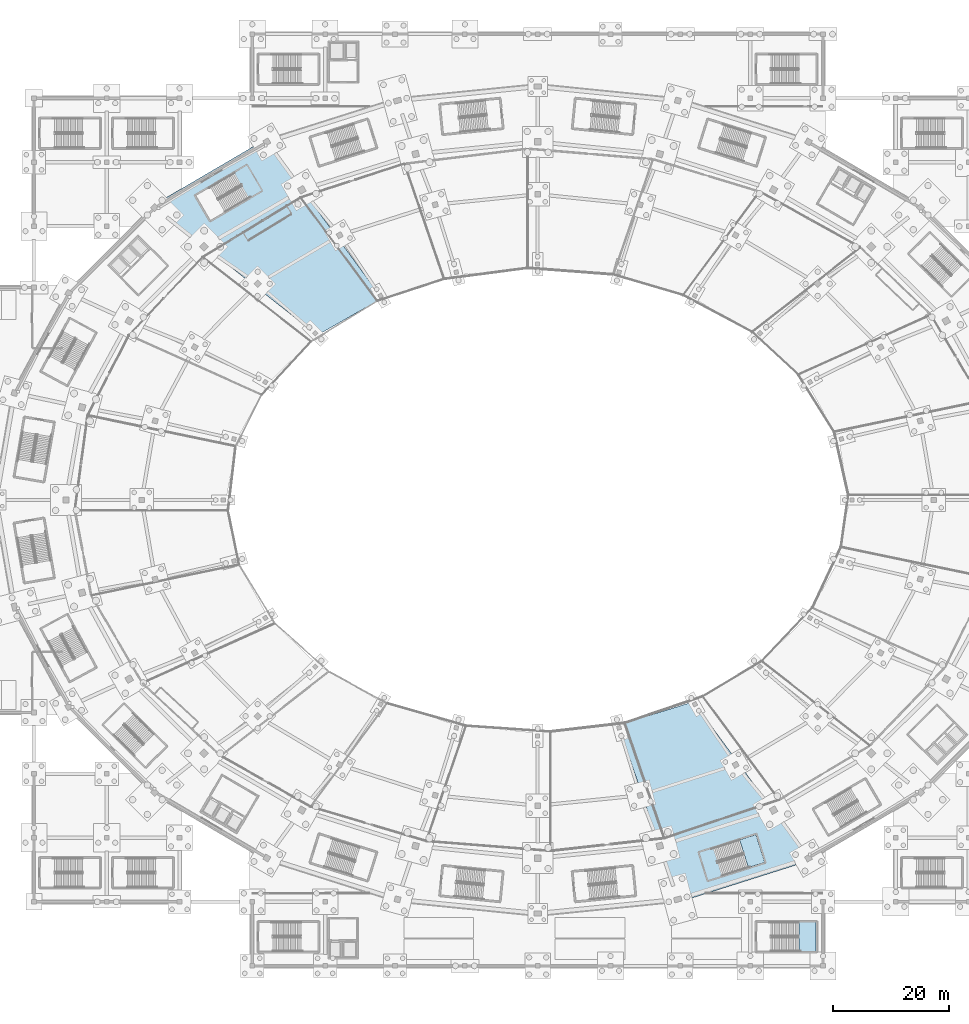
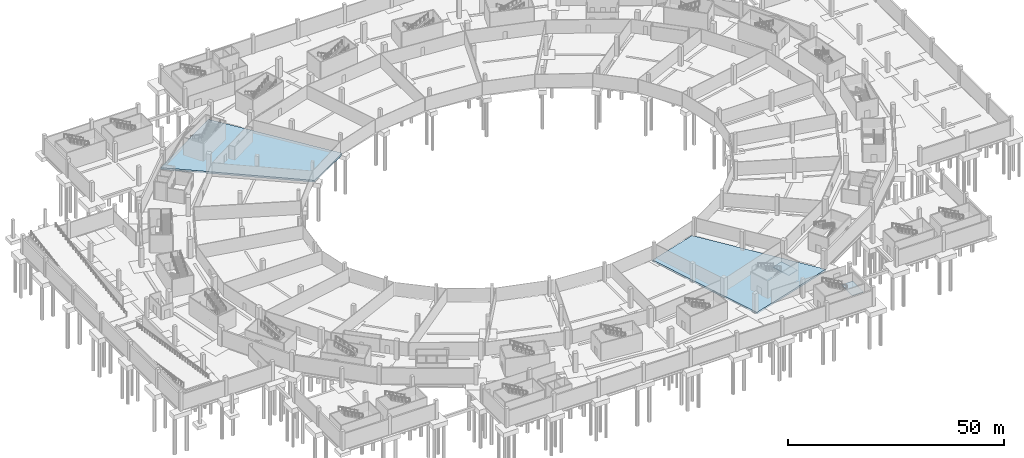
# One storey, part 18 of 74: 4 slabs, 2 elements without a shape of their own.
"""IFC4 building model written with IfcOpenShell, lengths in metres."""

from ifc_helpers import new_model, si_unit, direction, frame, origin, place, context, subcontext, project, spatial, polyline, outline, extrude, material, layer, layer_set, type_object, element, aggregate, save


model = new_model("IFC4")

# Units and contexts
model_context = context("Model", 3, precision=1e-05, world=origin(), true_north=direction((0.0, 1.0)))
body_context = subcontext(model_context, "Body", "Model", "MODEL_VIEW")
ifc_project = project(units=[si_unit("LENGTHUNIT", "METRE"), si_unit("AREAUNIT", "SQUARE_METRE"), si_unit("VOLUMEUNIT", "CUBIC_METRE"), si_unit("PLANEANGLEUNIT", "RADIAN"), si_unit("MASSUNIT", "GRAM", prefix="KILO")], contexts=[model_context])

# Site, building, storey
site_placement = place(None, origin())
site = spatial("IfcSite", under=ifc_project, at=site_placement, CompositionType="ELEMENT")
building_placement = place(site_placement, origin())
building = spatial("IfcBuilding", under=site, at=building_placement, Name="Zlatoyarsky Gate Stadium", CompositionType="ELEMENT")
storey_placement = place(building_placement, frame((0.0, 0.0, -5.39990234375)))
storey = spatial("IfcBuildingStorey", under=building, at=storey_placement, Name="B1", CompositionType="ELEMENT", Elevation=-5.39990234375)

# Slabs
ifc_material_1 = material(Name="Concrete C35/45", Category="concrete")
ifc_layer_1 = layer(ifc_material_1, 0.5)
ifc_layer_set_1 = layer_set([ifc_layer_1], Name="Concrete C35/45")
slab_type_1 = type_object("IfcSlabType", Name="CONCRETE BASE SLAB 500", PredefinedType="BASESLAB", material=ifc_layer_set_1)
slab_1_placement = place(storey_placement, frame((0.0, 0.0, -0.5)))
element("IfcSlab", 1, at=slab_1_placement, inside=storey, type_object=slab_type_1, Name="B1 bowl sector 08 slab", PredefinedType="BASESLAB", context=body_context, shape_type="SweptSolid", body=[
    extrude(outline(polyline([(73.169921875, 108.2841796875), (44.885498046875, 130.55810546875), (64.25, 141.9208984375), (84.25, 114.64111328125), (73.169921875, 108.2841796875)])), origin(), (0.0, 0.0, 1.0), 0.5),
])
slab_2_placement = place(storey_placement, frame((0.0, 0.0, -0.5)))
element("IfcSlab", 2, at=slab_2_placement, inside=storey, type_object=slab_type_1, Name="B1 bowl sector 19 slab", PredefinedType="BASESLAB", context=body_context, shape_type="SweptSolid", body=[
    extrude(outline(polyline([(137.75, 45.35888671875), (157.75, 18.0791015625), (135.19970703125, 10.936279296875), (124.8466796875, 41.363037109375), (137.75, 45.35888671875)])), origin(), (0.0, 0.0, 1.0), 0.5),
])

# Stair, slab
ifc_material_2 = material(Name="Concrete C40/50", Category="concrete")
stair_type = type_object("IfcStairType", Name="CONCRETE DOGLEG EXIT STAIR H5400", PredefinedType="TWO_STRAIGHT_RUN_STAIR", material=ifc_material_2)
stair_1_placement = place(storey_placement, origin())
stair_1 = element("IfcStair", 3, at=stair_1_placement, inside=storey, type_object=stair_type, Name="B1 Exit Stair ST-16", PredefinedType="TWO_STRAIGHT_RUN_STAIR")
ifc_layer_2 = layer(ifc_material_2, 0.199951171875)
ifc_layer_set_2 = layer_set([ifc_layer_2], Name="Concrete C40/50")
slab_type_2 = type_object("IfcSlabType", Name="CONCRETE STAIR LANDING SLAB 200", PredefinedType="LANDING", material=ifc_layer_set_2)
slab_3_placement = place(storey_placement, frame((0.0, 0.0, 2.5)))
slab_3 = element("IfcSlab", 4, at=slab_3_placement, type_object=slab_type_2, Name="ST-DG54 landing 1", PredefinedType="LANDING", context=body_context, shape_type="SweptSolid", body=[
    extrude(outline(polyline([(147.176513671875, 16.885009765625), (149.9892578125, 17.7744140625), (148.481689453125, 22.541748046875), (145.6689453125, 21.65234375), (147.176513671875, 16.885009765625)])), origin(), (0.0, 0.0, 1.0), 0.199951171875),
])
aggregate(stair_1, [slab_3])

stair_2_placement = place(storey_placement, origin())
stair_2 = element("IfcStair", 5, at=stair_2_placement, inside=storey, type_object=stair_type, Name="B1 Exit Stair ST-30", PredefinedType="TWO_STRAIGHT_RUN_STAIR")
slab_4_placement = place(storey_placement, frame((0.0, 0.0, 2.5)))
slab_4 = element("IfcSlab", 6, at=slab_4_placement, type_object=slab_type_2, Name="ST-DG54 landing 1", PredefinedType="LANDING", context=body_context, shape_type="SweptSolid", body=[
    extrude(outline(polyline([(155.85009765625, 2.5), (158.800048828125, 2.5), (158.800048828125, 7.5), (155.85009765625, 7.5), (155.85009765625, 2.5)])), origin(), (0.0, 0.0, 1.0), 0.199951171875),
])
aggregate(stair_2, [slab_4])

save(model, "model.ifc")
